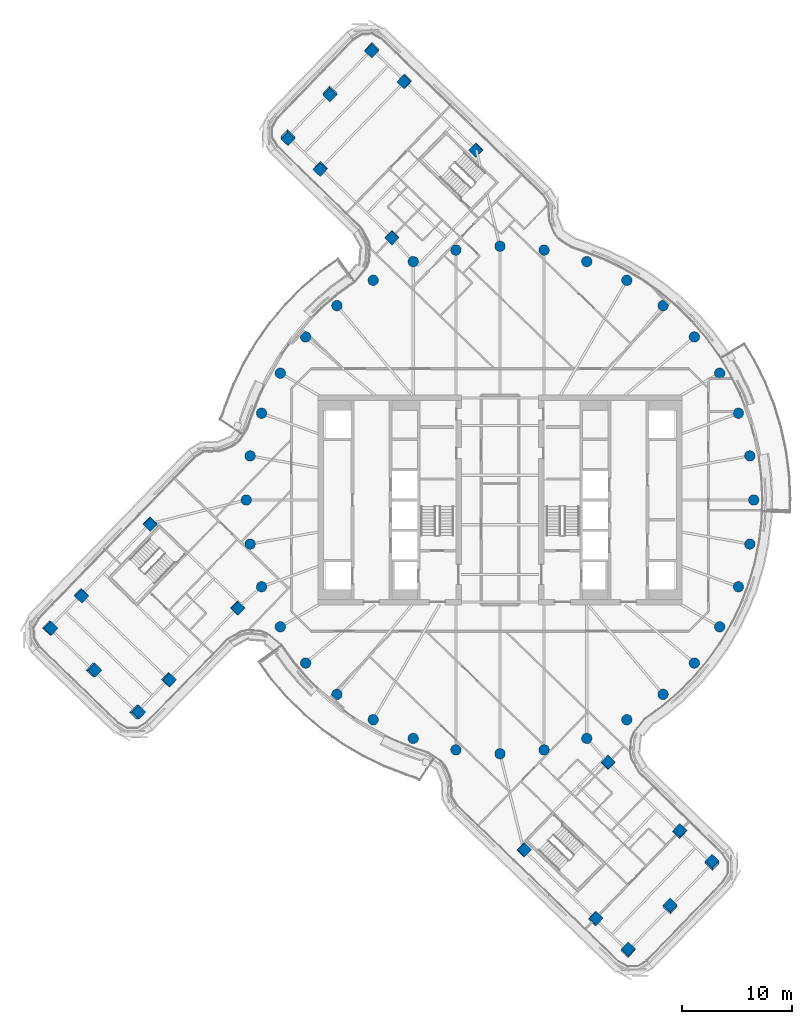
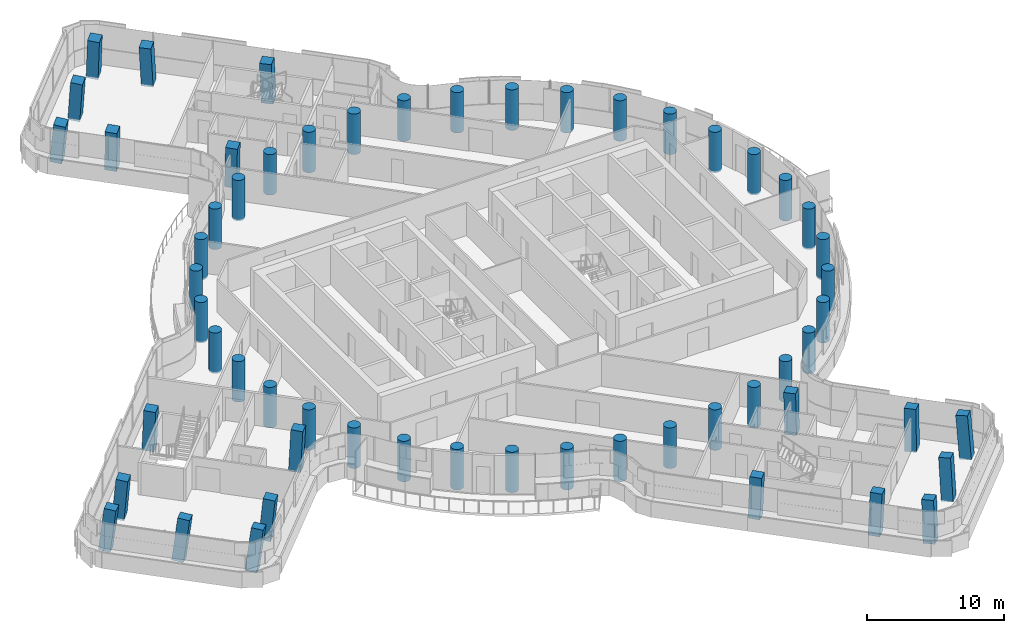
# One storey, part 1 of 31: 57 columns.
"""IFC4 building model written with IfcOpenShell, lengths in metres."""

import ifcopenshell
import ifcopenshell.guid

model = None  # the IFC model being written
_history = None  # IfcOwnerHistory: only IFC2X3 demands one
_inside = {}  # id of a spatial element -> (the spatial element, [elements in it])
_under = {}  # id of a project, library or spatial element -> (it, [spatial elements below it])
_declared = {}  # id of a project -> (the project, [libraries it declares])
_typed = {}  # id of a type object -> (the type object, [elements of that type])
_made_of = {}  # id of a material, layer set ... -> (it, [elements and type objects made of it])


def new_model(schema):
    """Start an empty IFC model of exactly this schema.

    Asked for "IFC4X3", IfcOpenShell would pick the latest addendum, in which some entities
    have other attributes; the version numbers below select the first issue.
    IFC2X3 requires an IfcOwnerHistory on every rooted entity: one is made here for all.
    """
    global model, _history
    if schema == "IFC4X3":
        model = ifcopenshell.file(schema_version=(4, 3, 0, 0))
    else:
        model = ifcopenshell.file(schema=schema)
    _inside.clear()
    _under.clear()
    _declared.clear()
    _typed.clear()
    _made_of.clear()
    _history = None
    if model.schema == "IFC2X3":
        org = make("IfcOrganization", Name="unknown")
        user = make(
            "IfcPersonAndOrganization",
            ThePerson=make("IfcPerson", FamilyName="unknown"),
            TheOrganization=org,
        )
        app = make(
            "IfcApplication",
            ApplicationDeveloper=org,
            Version="unknown",
            ApplicationFullName="unknown",
            ApplicationIdentifier="unknown",
        )
        _history = make(
            "IfcOwnerHistory",
            OwningUser=user,
            OwningApplication=app,
            ChangeAction="ADDED",
            CreationDate=0,
        )
    return model


def make(cls, **values):
    """One entity of the class cls with the attributes given. An attribute that is None is left unset."""
    return model.create_entity(
        cls, **{name: value for name, value in values.items() if value is not None}
    )


def rooted(cls, **values):
    """An entity with a GlobalId (a new one), such as an element, a storey or a relation."""
    return make(cls, GlobalId=ifcopenshell.guid.new(), OwnerHistory=_history, **values)


def si_unit(unit_type, name, prefix=None):
    """IfcSIUnit, for example si_unit("LENGTHUNIT", "METRE", prefix="MILLI")."""
    return make("IfcSIUnit", UnitType=unit_type, Prefix=prefix, Name=name)


def assignment(units):
    """IfcUnitAssignment: the units of a project."""
    return None if units is None else make("IfcUnitAssignment", Units=units)


def point(xyz):
    """IfcCartesianPoint."""
    return None if xyz is None else make("IfcCartesianPoint", Coordinates=xyz)


def direction(xyz):
    """IfcDirection."""
    return None if xyz is None else make("IfcDirection", DirectionRatios=xyz)


def frame(location, z_axis=None, x_axis=None):
    """IfcAxis2Placement3D, a coordinate frame: its origin and axes. An axis left out is left unset."""
    return make(
        "IfcAxis2Placement3D",
        Location=point(location),
        Axis=direction(z_axis),
        RefDirection=direction(x_axis),
    )


def frame_2d(location, x_axis=None):
    """IfcAxis2Placement2D, a coordinate frame in the plane: its origin and x axis."""
    return make(
        "IfcAxis2Placement2D", Location=point(location), RefDirection=direction(x_axis)
    )


def origin():
    """The frame at (0, 0, 0) with its axes left unset."""
    return frame((0.0, 0.0, 0.0))


def origin_2d():
    """The frame at (0, 0) in the plane with its x axis left unset."""
    return frame_2d((0.0, 0.0))


def place(relative_to, where):
    """IfcLocalPlacement: puts the frame where relative to a parent placement (None: the world)."""
    return make(
        "IfcLocalPlacement", PlacementRelTo=relative_to, RelativePlacement=where
    )


def context(
    kind, dimensions, precision=None, world=None, true_north=None, identifier=None
):
    """IfcGeometricRepresentationContext, for example the 3D "Model" context."""
    return make(
        "IfcGeometricRepresentationContext",
        ContextIdentifier=identifier,
        ContextType=kind,
        CoordinateSpaceDimension=dimensions,
        Precision=precision,
        WorldCoordinateSystem=world,
        TrueNorth=true_north,
    )


def subcontext(parent, identifier, kind, view, scale=None):
    """IfcGeometricRepresentationSubContext, for example "Body" below "Model"."""
    return make(
        "IfcGeometricRepresentationSubContext",
        ContextIdentifier=identifier,
        ContextType=kind,
        ParentContext=parent,
        TargetScale=scale,
        TargetView=view,
    )


def project(units=None, contexts=None):
    """IfcProject with its units and contexts."""
    return rooted(
        "IfcProject",
        Name="project",
        RepresentationContexts=contexts,
        UnitsInContext=assignment(units),
    )


def spatial(cls, under=None, at=None, **own):
    """A site, building, storey or space (cls), placed at a placement, below another one or the project."""
    s = rooted(cls, ObjectPlacement=at, **own)
    if under is not None:
        _under.setdefault(under.id(), (under, []))[1].append(s)
    return s


def profile(cls, at=None, kind="AREA", **sizes):
    """A parametric profile (cls). Its sizes go by their IFC names, for example OverallWidth=200.0."""
    return make(cls, ProfileType=kind, Position=at, **sizes)


def rectangle(**sizes):
    """IfcRectangleProfileDef."""
    return profile("IfcRectangleProfileDef", **sizes)


def circle(**sizes):
    """IfcCircleProfileDef."""
    return profile("IfcCircleProfileDef", **sizes)


def extrude(swept, where, along, depth):
    """IfcExtrudedAreaSolid: the profile swept, set in the frame where, extruded along a direction by depth."""
    return make(
        "IfcExtrudedAreaSolid",
        SweptArea=swept,
        Position=where,
        ExtrudedDirection=direction(along),
        Depth=depth,
    )


def shape(context_of_items, identifier, shape_type, items):
    """IfcShapeRepresentation: the items that make up one representation, for example the "Body"."""
    return make(
        "IfcShapeRepresentation",
        ContextOfItems=context_of_items,
        RepresentationIdentifier=identifier,
        RepresentationType=shape_type,
        Items=items,
    )


def material(Name=None, Category=None):
    """IfcMaterial."""
    return make("IfcMaterial", Name=Name, Category=Category)


def material_profile(
    of_material, cross_section, Name=None, Category=None, Priority=None
):
    """IfcMaterialProfile: a cross section and its material."""
    return make(
        "IfcMaterialProfile",
        Name=Name,
        Material=of_material,
        Profile=cross_section,
        Priority=Priority,
        Category=Category,
    )


def profile_set(profiles, Name=None, composite=None):
    """IfcMaterialProfileSet."""
    return make(
        "IfcMaterialProfileSet",
        Name=Name,
        MaterialProfiles=profiles,
        CompositeProfile=composite,
    )


def made_of(thing, what):
    """Note that an element or type object is made of a material, layer set ...; save() writes the relation."""
    if what is not None:
        _made_of.setdefault(what.id(), (what, []))[1].append(thing)
    return thing


def type_object(cls, material=None, **own):
    """A type object (cls), such as IfcWallType, which elements share."""
    return made_of(rooted(cls, **own), material)


def element(
    cls,
    number,
    at=None,
    inside=None,
    cuts=None,
    type_object=None,
    material=None,
    context=None,
    identifier="Body",
    shape_type=None,
    held_by="IfcProductDefinitionShape",
    body=None,
    shapes=None,
    **own,
):
    """One element of the class cls, such as IfcWall. Its Tag is "e" and its number.

    at: its placement. inside: the storey or other place that contains it. cuts: it is an
    opening in that element (IfcRelVoidsElement). A single representation is given by context,
    identifier, shape_type and body (its items); several are given by shapes. held_by: the class
    of the entity that holds the representations. save() writes the other relations.
    """
    e = rooted(cls, Tag="e%d" % number, ObjectPlacement=at, **own)
    if body is not None:
        shapes = [shape(context, identifier, shape_type, body)]
    if shapes is not None:
        e.Representation = make(held_by, Representations=shapes)
    if inside is not None:
        _inside.setdefault(inside.id(), (inside, []))[1].append(e)
    if cuts is not None:
        rooted(
            "IfcRelVoidsElement", RelatingBuildingElement=cuts, RelatedOpeningElement=e
        )
    if type_object is not None:
        _typed.setdefault(type_object.id(), (type_object, []))[1].append(e)
    return made_of(e, material)


def aggregate(whole, parts):
    """IfcRelAggregates: a whole, such as a stair, and the parts it consists of."""
    return rooted("IfcRelAggregates", RelatingObject=whole, RelatedObjects=parts)


def save(model, path):
    """Write the relations noted so far, then the file.

    IfcRelAggregates (storeys below a building ...), IfcRelContainedInSpatialStructure (elements
    in a storey), IfcRelDefinesByType, IfcRelAssociatesMaterial and IfcRelDeclares: one each for
    every whole, place, type object, material and project.
    """
    for whole, parts in _under.values():
        aggregate(whole, parts)
    for where, things in _inside.values():
        rooted(
            "IfcRelContainedInSpatialStructure",
            RelatedElements=things,
            RelatingStructure=where,
        )
    for kind, things in _typed.values():
        rooted("IfcRelDefinesByType", RelatedObjects=things, RelatingType=kind)
    for what, things in _made_of.values():
        rooted("IfcRelAssociatesMaterial", RelatedObjects=things, RelatingMaterial=what)
    for by, libraries in _declared.values():
        rooted("IfcRelDeclares", RelatingContext=by, RelatedDefinitions=libraries)
    model.write(path)


model = new_model("IFC4")

# Units and contexts
model_context = context("Model", 3, precision=1e-05, world=origin(), true_north=direction((0.0, 1.0)))
body_context = subcontext(model_context, "Body", "Model", "MODEL_VIEW")
ifc_project = project(units=[si_unit("LENGTHUNIT", "METRE"), si_unit("AREAUNIT", "SQUARE_METRE"), si_unit("VOLUMEUNIT", "CUBIC_METRE"), si_unit("PLANEANGLEUNIT", "RADIAN"), si_unit("MASSUNIT", "GRAM", prefix="KILO")], contexts=[model_context])

# Site, building, storey
site_placement = place(None, origin())
site = spatial("IfcSite", under=ifc_project, at=site_placement, CompositionType="ELEMENT")
building_placement = place(site_placement, origin())
building = spatial("IfcBuilding", under=site, at=building_placement, Name="Tamarind Cross Interchange Tower", CompositionType="ELEMENT")
storey_placement = place(building_placement, frame((0.0, 0.0, 200.5)))
storey = spatial("IfcBuildingStorey", under=building, at=storey_placement, Name="L50", CompositionType="ELEMENT", Elevation=200.5)

# Columns
ifc_material = material(Name="Concrete C55", Category="concrete")
ifc_material_profile_1 = material_profile(ifc_material, rectangle(XDim=0.89990234375, YDim=0.89990234375, at=origin_2d()), Name="RC 900x900")
ifc_profile_set_1 = profile_set([ifc_material_profile_1], Name="Concrete C55")
column_type_1 = type_object("IfcColumnType", Name="Column RC 900x900 Concrete C55", PredefinedType="COLUMN", material=ifc_profile_set_1)
for number, where, z_axis, x_axis, name in (
    (1, (-16.26123046875, 30.0693359375, -0.138427734375), (-0.039945516531, -0.082391852203, 0.995799145611), (0.693218963239, 0.715456308317, 0.087004252163), "Column L50-043"),
    (2, (-8.615966796875, 37.978271484375, -0.138427734375), (-0.080228717155, -0.044203522342, 0.995795863396), (0.717861426191, -0.695663975555, 0.026955628377), "Column L50-044"),
):
    element("IfcColumn", number, at=place(storey_placement, frame(where, z_axis=z_axis, x_axis=x_axis)), inside=storey, type_object=column_type_1, Name=name, PredefinedType="COLUMN", context=body_context, shape_type="SweptSolid", body=[
        extrude(rectangle(XDim=0.89990234375, YDim=0.89990234375, at=origin_2d()), origin(), (0.0, 0.0, 1.0), 3.612060546875),
    ])
for number, where, z_axis, x_axis, name in (
    (3, (-9.790283203125, 23.814208984375, -0.138671875), (-0.008743548797, -0.049614555965, 0.998730166857), (0.695071309744, 0.717728105829, 0.041740154219), "Column L50-045"),
    (4, (-2.14501953125, 31.72314453125, -0.138671875), (-0.049072365469, -0.011319178223, 0.998731084503), (0.7186287343, -0.694852568847, 0.027434463837), "Column L50-046"),
):
    element("IfcColumn", number, at=place(storey_placement, frame(where, z_axis=z_axis, x_axis=x_axis)), inside=storey, type_object=column_type_1, Name=name, PredefinedType="COLUMN", context=body_context, shape_type="SweptSolid", body=[
        extrude(rectangle(XDim=0.89990234375, YDim=0.89990234375, at=origin_2d()), origin(), (0.0, 0.0, 1.0), 3.60205078125),
    ])
column_1_placement = place(storey_placement, frame((-11.59130859375, 40.854248046875, -0.137939453125), z_axis=(-0.035186120345, -0.114253781581, 0.992828288441), x_axis=(0.693196313961, 0.712822369315, 0.106598030544)))
element("IfcColumn", 5, at=column_1_placement, inside=storey, type_object=column_type_1, Name="Column L50-047", PredefinedType="COLUMN", context=body_context, shape_type="SweptSolid", body=[
    extrude(rectangle(XDim=0.89990234375, YDim=0.89990234375, at=origin_2d()), origin(), (0.0, 0.0, 1.0), 3.621826171875),
])
column_2_placement = place(storey_placement, frame((-15.413818359375, 36.899658203125, -0.137939453125), z_axis=(-0.015071207557, -0.133016863123, 0.990999179025), x_axis=(0.694163348486, 0.711952293324, 0.106118696039)))
element("IfcColumn", 6, at=column_2_placement, inside=storey, type_object=column_type_1, Name="Column L50-048", PredefinedType="COLUMN", context=body_context, shape_type="SweptSolid", body=[
    extrude(rectangle(XDim=0.89990234375, YDim=0.89990234375, at=origin_2d()), origin(), (0.0, 0.0, 1.0), 3.628662109375),
])
column_3_placement = place(storey_placement, frame((-19.236328125, 32.945068359375, -0.137939453125), z_axis=(0.004899192109, -0.151606506498, 0.988428786056), x_axis=(0.695407810125, 0.710817135676, 0.10557924629)))
element("IfcColumn", 7, at=column_3_placement, inside=storey, type_object=column_type_1, Name="Column L50-049", PredefinedType="COLUMN", context=body_context, shape_type="SweptSolid", body=[
    extrude(rectangle(XDim=0.89990234375, YDim=0.89990234375, at=origin_2d()), origin(), (0.0, 0.0, 1.0), 3.6376953125),
])
for number, where, z_axis, x_axis, name in (
    (8, (-30.0693359375, -16.26123046875, -0.138427734375), (0.082391852203, -0.039945516531, 0.995799145611), (-0.715456308317, 0.693218963239, 0.087004252163), "Column L50-050"),
    (9, (-37.978271484375, -8.615966796875, -0.138427734375), (0.044203522342, -0.080228717155, 0.995795863396), (0.695663975555, 0.717861426191, 0.026955628377), "Column L50-051"),
):
    element("IfcColumn", number, at=place(storey_placement, frame(where, z_axis=z_axis, x_axis=x_axis)), inside=storey, type_object=column_type_1, Name=name, PredefinedType="COLUMN", context=body_context, shape_type="SweptSolid", body=[
        extrude(rectangle(XDim=0.89990234375, YDim=0.89990234375, at=origin_2d()), origin(), (0.0, 0.0, 1.0), 3.612060546875),
    ])
for number, where, z_axis, x_axis, name in (
    (10, (-23.814208984375, -9.790283203125, -0.138671875), (0.049614555965, -0.008743548797, 0.998730166857), (-0.717728105829, 0.695071309744, 0.041740154219), "Column L50-052"),
    (11, (-31.72314453125, -2.14501953125, -0.138671875), (0.011319178223, -0.049072365469, 0.998731084503), (0.694852568847, 0.7186287343, 0.027434463837), "Column L50-053"),
):
    element("IfcColumn", number, at=place(storey_placement, frame(where, z_axis=z_axis, x_axis=x_axis)), inside=storey, type_object=column_type_1, Name=name, PredefinedType="COLUMN", context=body_context, shape_type="SweptSolid", body=[
        extrude(rectangle(XDim=0.89990234375, YDim=0.89990234375, at=origin_2d()), origin(), (0.0, 0.0, 1.0), 3.60205078125),
    ])
column_4_placement = place(storey_placement, frame((-40.854248046875, -11.59130859375, -0.137939453125), z_axis=(0.114253781581, -0.035186120345, 0.992828288441), x_axis=(-0.712822369315, 0.693196313961, 0.106598030544)))
element("IfcColumn", 12, at=column_4_placement, inside=storey, type_object=column_type_1, Name="Column L50-054", PredefinedType="COLUMN", context=body_context, shape_type="SweptSolid", body=[
    extrude(rectangle(XDim=0.89990234375, YDim=0.89990234375, at=origin_2d()), origin(), (0.0, 0.0, 1.0), 3.621826171875),
])
column_5_placement = place(storey_placement, frame((-36.899658203125, -15.413818359375, -0.137939453125), z_axis=(0.133016863123, -0.015071207557, 0.990999179025), x_axis=(-0.711952293324, 0.694163348486, 0.106118696039)))
element("IfcColumn", 13, at=column_5_placement, inside=storey, type_object=column_type_1, Name="Column L50-055", PredefinedType="COLUMN", context=body_context, shape_type="SweptSolid", body=[
    extrude(rectangle(XDim=0.89990234375, YDim=0.89990234375, at=origin_2d()), origin(), (0.0, 0.0, 1.0), 3.628662109375),
])
column_6_placement = place(storey_placement, frame((-32.945068359375, -19.236328125, -0.137939453125), z_axis=(0.151606506498, 0.004899192109, 0.988428786056), x_axis=(-0.710817135676, 0.695407810125, 0.10557924629)))
element("IfcColumn", 14, at=column_6_placement, inside=storey, type_object=column_type_1, Name="Column L50-056", PredefinedType="COLUMN", context=body_context, shape_type="SweptSolid", body=[
    extrude(rectangle(XDim=0.89990234375, YDim=0.89990234375, at=origin_2d()), origin(), (0.0, 0.0, 1.0), 3.6376953125),
])
for number, where, z_axis, x_axis, name in (
    (15, (16.26123046875, -30.0693359375, -0.138427734375), (0.039945516531, 0.082391852203, 0.995799145611), (-0.693218963239, -0.715456308317, 0.087004252163), "Column L50-057"),
    (16, (8.615966796875, -37.978271484375, -0.138427734375), (0.080228717155, 0.044203522342, 0.995795863396), (-0.717861426191, 0.695663975555, 0.026955628377), "Column L50-058"),
):
    element("IfcColumn", number, at=place(storey_placement, frame(where, z_axis=z_axis, x_axis=x_axis)), inside=storey, type_object=column_type_1, Name=name, PredefinedType="COLUMN", context=body_context, shape_type="SweptSolid", body=[
        extrude(rectangle(XDim=0.89990234375, YDim=0.89990234375, at=origin_2d()), origin(), (0.0, 0.0, 1.0), 3.612060546875),
    ])
for number, where, z_axis, x_axis, name in (
    (17, (9.790283203125, -23.814208984375, -0.138671875), (0.008743548797, 0.049614555965, 0.998730166857), (-0.695071309744, -0.717728105829, 0.041740154219), "Column L50-059"),
    (18, (2.14501953125, -31.72314453125, -0.138671875), (0.049072365469, 0.011319178223, 0.998731084503), (-0.7186287343, 0.694852568847, 0.027434463837), "Column L50-060"),
):
    element("IfcColumn", number, at=place(storey_placement, frame(where, z_axis=z_axis, x_axis=x_axis)), inside=storey, type_object=column_type_1, Name=name, PredefinedType="COLUMN", context=body_context, shape_type="SweptSolid", body=[
        extrude(rectangle(XDim=0.89990234375, YDim=0.89990234375, at=origin_2d()), origin(), (0.0, 0.0, 1.0), 3.60205078125),
    ])
column_7_placement = place(storey_placement, frame((11.59130859375, -40.854248046875, -0.137939453125), z_axis=(0.035186120345, 0.114253781581, 0.992828288441), x_axis=(-0.693196313961, -0.712822369315, 0.106598030544)))
element("IfcColumn", 19, at=column_7_placement, inside=storey, type_object=column_type_1, Name="Column L50-061", PredefinedType="COLUMN", context=body_context, shape_type="SweptSolid", body=[
    extrude(rectangle(XDim=0.89990234375, YDim=0.89990234375, at=origin_2d()), origin(), (0.0, 0.0, 1.0), 3.621826171875),
])
column_8_placement = place(storey_placement, frame((15.413818359375, -36.899658203125, -0.137939453125), z_axis=(0.015071207557, 0.133016863123, 0.990999179025), x_axis=(-0.694163348486, -0.711952293324, 0.106118696039)))
element("IfcColumn", 20, at=column_8_placement, inside=storey, type_object=column_type_1, Name="Column L50-062", PredefinedType="COLUMN", context=body_context, shape_type="SweptSolid", body=[
    extrude(rectangle(XDim=0.89990234375, YDim=0.89990234375, at=origin_2d()), origin(), (0.0, 0.0, 1.0), 3.628662109375),
])
column_9_placement = place(storey_placement, frame((19.236328125, -32.945068359375, -0.137939453125), z_axis=(-0.004899192109, 0.151606506498, 0.988428786056), x_axis=(-0.695407810125, -0.710817135676, 0.10557924629)))
element("IfcColumn", 21, at=column_9_placement, inside=storey, type_object=column_type_1, Name="Column L50-063", PredefinedType="COLUMN", context=body_context, shape_type="SweptSolid", body=[
    extrude(rectangle(XDim=0.89990234375, YDim=0.89990234375, at=origin_2d()), origin(), (0.0, 0.0, 1.0), 3.6376953125),
])
ifc_material_profile_2 = material_profile(ifc_material, circle(Radius=0.47509765625, at=origin_2d()), Name="RC D950")
ifc_profile_set_2 = profile_set([ifc_material_profile_2], Name="Concrete C55")
column_type_2 = type_object("IfcColumnType", Name="Column RC D950 Concrete C55", PredefinedType="COLUMN", material=ifc_profile_set_2)
for number, where, z_axis, x_axis, name in (
    (22, (23.0, 0.0, -0.139892578125), (0.0, 0.0, 1.0), (1.0, 0.0, 0.0), "Column L50-000"),
    (23, (22.650634765625, 3.993896484375, -0.139892578125), (0.0, 0.0, 1.0), (1.0, 0.0, 0.0), "Column L50-001"),
    (24, (21.613037109375, 7.866455078125, -0.139892578125), (0.0, 0.0, 1.0), (1.0, 0.0, 0.0), "Column L50-002"),
    (25, (19.918701171875, 11.5, -0.139892578125), (0.0, 0.0, 1.0), (1.0, 0.0, 0.0), "Column L50-003"),
    (26, (17.619140625, 14.7841796875, -0.139892578125), (0.0, 0.0, 1.0), (1.0, 0.0, 0.0), "Column L50-004"),
    (27, (14.7841796875, 17.619140625, -0.139892578125), (0.0, 0.0, 1.0), (1.0, 0.0, 0.0), "Column L50-005"),
    (28, (11.5, 19.918701171875, -0.139892578125), (0.0, 0.0, 1.0), (1.0, 0.0, 0.0), "Column L50-006"),
    (29, (7.866455078125, 21.613037109375, -0.139892578125), (0.0, 0.0, 1.0), (1.0, 0.0, 0.0), "Column L50-007"),
    (30, (3.993896484375, 22.650634765625, -0.139892578125), (0.0, 0.0, 1.0), (1.0, 0.0, 0.0), "Column L50-008"),
    (31, (0.0, 23.0, -0.139892578125), (0.0, 0.0, 1.0), (1.0, 0.0, 0.0), "Column L50-009"),
    (32, (-3.993896484375, 22.650634765625, -0.139892578125), (0.0, 0.0, 1.0), (1.0, 0.0, 0.0), "Column L50-010"),
    (33, (-7.866455078125, 21.613037109375, -0.139892578125), (0.0, 0.0, 1.0), (1.0, 0.0, 0.0), "Column L50-011"),
    (34, (-11.5, 19.918701171875, -0.139892578125), (0.0, 0.0, 1.0), (1.0, 0.0, 0.0), "Column L50-012"),
    (35, (-14.7841796875, 17.619140625, -0.139892578125), (0.0, 0.0, 1.0), (1.0, 0.0, 0.0), "Column L50-013"),
    (36, (-17.619140625, 14.7841796875, -0.139892578125), (0.0, 0.0, 1.0), (1.0, 0.0, 0.0), "Column L50-014"),
    (37, (-19.918701171875, 11.5, -0.139892578125), (0.0, 0.0, 1.0), (1.0, 0.0, 0.0), "Column L50-015"),
    (38, (-21.613037109375, 7.866455078125, -0.139892578125), (0.0, 0.0, 1.0), (1.0, 0.0, 0.0), "Column L50-016"),
    (39, (-22.650634765625, 3.993896484375, -0.139892578125), (0.0, 0.0, 1.0), (1.0, 0.0, 0.0), "Column L50-017"),
    (40, (-23.0, 0.0, -0.139892578125), (0.0, 0.0, 1.0), (1.0, 0.0, 0.0), "Column L50-018"),
    (41, (-22.650634765625, -3.993896484375, -0.139892578125), (0.0, 0.0, 1.0), (1.0, 0.0, 0.0), "Column L50-019"),
    (42, (-21.613037109375, -7.866455078125, -0.139892578125), (0.0, 0.0, 1.0), (1.0, 0.0, 0.0), "Column L50-020"),
    (43, (-19.918701171875, -11.5, -0.139892578125), (0.0, 0.0, 1.0), (1.0, 0.0, 0.0), "Column L50-021"),
    (44, (-17.619140625, -14.7841796875, -0.139892578125), (0.0, 0.0, 1.0), (1.0, 0.0, 0.0), "Column L50-022"),
    (45, (-14.7841796875, -17.619140625, -0.139892578125), (0.0, 0.0, 1.0), (1.0, 0.0, 0.0), "Column L50-023"),
    (46, (-11.5, -19.918701171875, -0.139892578125), (0.0, 0.0, 1.0), (1.0, 0.0, 0.0), "Column L50-024"),
    (47, (-7.866455078125, -21.613037109375, -0.139892578125), (0.0, 0.0, 1.0), (1.0, 0.0, 0.0), "Column L50-025"),
    (48, (-3.993896484375, -22.650634765625, -0.139892578125), (0.0, 0.0, 1.0), (1.0, 0.0, 0.0), "Column L50-026"),
    (49, (0.0, -23.0, -0.139892578125), (0.0, 0.0, 1.0), (1.0, 0.0, 0.0), "Column L50-027"),
    (50, (3.993896484375, -22.650634765625, -0.139892578125), (0.0, 0.0, 1.0), (1.0, 0.0, 0.0), "Column L50-028"),
    (51, (7.866455078125, -21.613037109375, -0.139892578125), (0.0, 0.0, 1.0), (1.0, 0.0, 0.0), "Column L50-029"),
    (52, (11.5, -19.918701171875, -0.139892578125), (0.0, 0.0, 1.0), (1.0, 0.0, 0.0), "Column L50-030"),
    (53, (14.7841796875, -17.619140625, -0.139892578125), (0.0, 0.0, 1.0), (1.0, 0.0, 0.0), "Column L50-031"),
    (54, (17.619140625, -14.7841796875, -0.139892578125), (0.0, 0.0, 1.0), (1.0, 0.0, 0.0), "Column L50-032"),
    (55, (19.918701171875, -11.5, -0.139892578125), (0.0, 0.0, 1.0), (1.0, 0.0, 0.0), "Column L50-033"),
    (56, (21.613037109375, -7.866455078125, -0.139892578125), (0.0, 0.0, 1.0), (1.0, 0.0, 0.0), "Column L50-034"),
    (57, (22.650634765625, -3.993896484375, -0.139892578125), (0.0, 0.0, 1.0), (1.0, 0.0, 0.0), "Column L50-035"),
):
    element("IfcColumn", number, at=place(storey_placement, frame(where, z_axis=z_axis, x_axis=x_axis)), inside=storey, type_object=column_type_2, Name=name, PredefinedType="COLUMN", context=body_context, shape_type="SweptSolid", body=[
        extrude(circle(Radius=0.47509765625, at=origin_2d()), origin(), (0.0, 0.0, 1.0), 3.599853515625),
    ])

save(model, "model.ifc")
